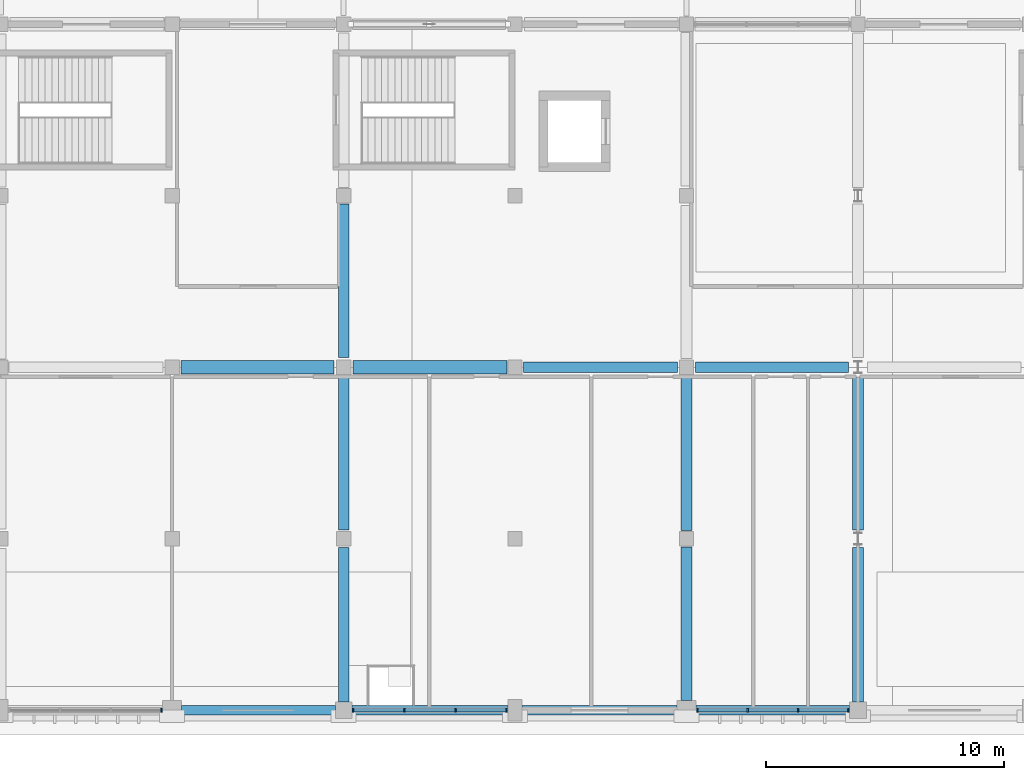
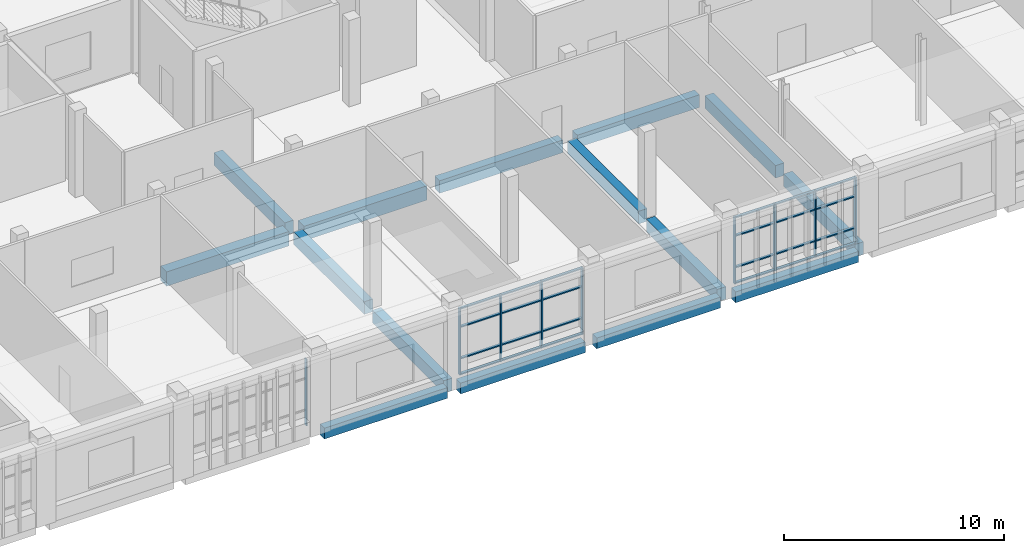
# One storey, part 27 of 82: 33 members, 15 beams, 3 elements without a shape of their own.
"""IFC4 building model written with IfcOpenShell, lengths in metres."""

from ifc_helpers import new_model, si_unit, direction, frame, origin, origin_2d, place, context, subcontext, project, spatial, rectangle, extrude, material, material_profile, profile_set, type_object, element, aggregate, save


model = new_model("IFC4")

# Units and contexts
model_context = context("Model", 3, precision=1e-05, world=origin(), true_north=direction((0.0, 1.0)))
body_context = subcontext(model_context, "Body", "Model", "MODEL_VIEW")
ifc_project = project(units=[si_unit("LENGTHUNIT", "METRE"), si_unit("AREAUNIT", "SQUARE_METRE"), si_unit("VOLUMEUNIT", "CUBIC_METRE"), si_unit("PLANEANGLEUNIT", "RADIAN"), si_unit("MASSUNIT", "GRAM", prefix="KILO")], contexts=[model_context])

# Site, building, storey
site_placement = place(None, origin())
site = spatial("IfcSite", under=ifc_project, at=site_placement, CompositionType="ELEMENT")
building_placement = place(site_placement, origin())
building = spatial("IfcBuilding", under=site, at=building_placement, Name="Sardonyx Promenade Sports Hall", CompositionType="ELEMENT")
storey_placement = place(building_placement, frame((0.0, 0.0, 11.199951171875)))
storey = spatial("IfcBuildingStorey", under=building, at=storey_placement, Name="L02", CompositionType="ELEMENT", Elevation=11.199951171875)

# Beams
ifc_material_1 = material(Name="Concrete C40/50", Category="concrete")
ifc_material_profile_1 = material_profile(ifc_material_1, rectangle(XDim=0.550048828125, YDim=0.800048828125, at=origin_2d()))
ifc_profile_set_1 = profile_set([ifc_material_profile_1], Name="Concrete C40/50")
beam_type_1 = type_object("IfcBeamType", Name="Bm_Girder_RC800", PredefinedType="BEAM", material=ifc_profile_set_1)
beam_1_placement = place(storey_placement, frame((65.175048828125, 14.39990234375, -0.39990234375), z_axis=(1.0, 0.0, 0.0), x_axis=(0.0, 1.0, 0.0)))
element("IfcBeam", 1, at=beam_1_placement, inside=storey, type_object=beam_type_1, Name="Beam BG04 L02 #479", PredefinedType="BEAM", context=body_context, shape_type="SweptSolid", body=[
    extrude(rectangle(XDim=0.550048828125, YDim=0.800048828125, at=origin_2d()), origin(), (0.0, 0.0, 1.0), 6.425048828125),
])
beam_2_placement = place(storey_placement, frame((72.39990234375, 14.39990234375, -0.39990234375), z_axis=(1.0, 0.0, 0.0), x_axis=(0.0, 1.0, 0.0)))
element("IfcBeam", 2, at=beam_2_placement, inside=storey, type_object=beam_type_1, Name="Beam BG04 L02 #480", PredefinedType="BEAM", context=body_context, shape_type="SweptSolid", body=[
    extrude(rectangle(XDim=0.550048828125, YDim=0.800048828125, at=origin_2d()), origin(), (0.0, 0.0, 1.0), 6.4501953125),
])
ifc_material_2 = material(Name="Concrete C40/50", Category="concrete")
ifc_material_profile_2 = material_profile(ifc_material_2, rectangle(XDim=0.449951171875, YDim=0.699951171875, at=origin_2d()))
ifc_profile_set_2 = profile_set([ifc_material_profile_2], Name="Concrete C40/50")
beam_type_2 = type_object("IfcBeamType", Name="Bm_Primary_RC700", PredefinedType="BEAM", material=ifc_profile_set_2)
beam_3_placement = place(storey_placement, frame((79.550048828125, 14.39990234375, -0.349853515625), z_axis=(1.0, 0.0, 0.0), x_axis=(0.0, 1.0, 0.0)))
element("IfcBeam", 3, at=beam_3_placement, inside=storey, type_object=beam_type_2, Name="Beam BG01 L02 #481", PredefinedType="BEAM", context=body_context, shape_type="SweptSolid", body=[
    extrude(rectangle(XDim=0.449951171875, YDim=0.699951171875, at=origin_2d()), origin(), (0.0, 0.0, 1.0), 6.474853515625),
])
beam_4_placement = place(storey_placement, frame((86.77490234375, 14.39990234375, -0.349853515625), z_axis=(1.0, 0.0, 0.0), x_axis=(0.0, 1.0, 0.0)))
element("IfcBeam", 4, at=beam_4_placement, inside=storey, type_object=beam_type_2, Name="Beam BG01 L02 #482", PredefinedType="BEAM", context=body_context, shape_type="SweptSolid", body=[
    extrude(rectangle(XDim=0.449951171875, YDim=0.699951171875, at=origin_2d()), origin(), (0.0, 0.0, 1.0), 6.425048828125),
])
beam_5_placement = place(storey_placement, frame((72.0, 0.35009765625, -0.349853515625), z_axis=(0.0, 1.0, 0.0), x_axis=(-1.0, 0.0, 0.0)))
element("IfcBeam", 5, at=beam_5_placement, inside=storey, type_object=beam_type_2, Name="Beam BG01 L02 #611", PredefinedType="BEAM", context=body_context, shape_type="SweptSolid", body=[
    extrude(rectangle(XDim=0.449951171875, YDim=0.699951171875, at=origin_2d()), origin(), (0.0, 0.0, 1.0), 6.474853515625),
])
beam_6_placement = place(storey_placement, frame((72.0, 7.574951171875, -0.349853515625), z_axis=(0.0, 1.0, 0.0), x_axis=(-1.0, 0.0, 0.0)))
element("IfcBeam", 6, at=beam_6_placement, inside=storey, type_object=beam_type_2, Name="Beam BG01 L02 #612", PredefinedType="BEAM", context=body_context, shape_type="SweptSolid", body=[
    extrude(rectangle(XDim=0.449951171875, YDim=0.699951171875, at=origin_2d()), origin(), (0.0, 0.0, 1.0), 6.425048828125),
])
beam_7_placement = place(storey_placement, frame((72.0, 14.800048828125, -0.349853515625), z_axis=(0.0, 1.0, 0.0), x_axis=(-1.0, 0.0, 0.0)))
element("IfcBeam", 7, at=beam_7_placement, inside=storey, type_object=beam_type_2, Name="Beam BG01 L02 #613", PredefinedType="BEAM", context=body_context, shape_type="SweptSolid", body=[
    extrude(rectangle(XDim=0.449951171875, YDim=0.699951171875, at=origin_2d()), origin(), (0.0, 0.0, 1.0), 6.449951171875),
])
beam_8_placement = place(storey_placement, frame((86.39990234375, 0.39990234375, -0.349853515625), z_axis=(0.0, 1.0, 0.0), x_axis=(-1.0, 0.0, 0.0)))
element("IfcBeam", 8, at=beam_8_placement, inside=storey, type_object=beam_type_2, Name="Beam BG01 L02 #619", PredefinedType="BEAM", context=body_context, shape_type="SweptSolid", body=[
    extrude(rectangle(XDim=0.449951171875, YDim=0.699951171875, at=origin_2d()), origin(), (0.0, 0.0, 1.0), 6.4501953125),
])
for number, where, z_axis, x_axis, name in (
    (9, (86.39990234375, 7.550048828125, -0.349853515625), (0.0, 1.0, 0.0), (-1.0, 0.0, 0.0), "Beam BG01 L02 #620"),
    (10, (93.60009765625, 0.35009765625, -0.349853515625), (0.0, 1.0, 0.0), (-1.0, 0.0, 0.0), "Beam BG01 L02 #626"),
):
    element("IfcBeam", number, at=place(storey_placement, frame(where, z_axis=z_axis, x_axis=x_axis)), inside=storey, type_object=beam_type_2, Name=name, PredefinedType="BEAM", context=body_context, shape_type="SweptSolid", body=[
        extrude(rectangle(XDim=0.449951171875, YDim=0.699951171875, at=origin_2d()), origin(), (0.0, 0.0, 1.0), 6.474853515625),
    ])
beam_9_placement = place(storey_placement, frame((93.60009765625, 7.574951171875, -0.349853515625), z_axis=(0.0, 1.0, 0.0), x_axis=(-1.0, 0.0, 0.0)))
element("IfcBeam", 11, at=beam_9_placement, inside=storey, type_object=beam_type_2, Name="Beam BG01 L02 #627", PredefinedType="BEAM", context=body_context, shape_type="SweptSolid", body=[
    extrude(rectangle(XDim=0.449951171875, YDim=0.699951171875, at=origin_2d()), origin(), (0.0, 0.0, 1.0), 6.425048828125),
])
ifc_material_3 = material(Name="Concrete C40/50", Category="concrete")
ifc_material_profile_3 = material_profile(ifc_material_3, rectangle(XDim=0.39990234375, YDim=0.60009765625, at=origin_2d()))
ifc_profile_set_3 = profile_set([ifc_material_profile_3], Name="Concrete C40/50")
beam_type_3 = type_object("IfcBeamType", Name="Bm_Spandrel_RC600", PredefinedType="SPANDREL", material=ifc_profile_set_3)
beam_10_placement = place(storey_placement, frame((65.199951171875, 0.0, -0.300048828125), z_axis=(1.0, 0.0, 0.0), x_axis=(0.0, 1.0, 0.0)))
element("IfcBeam", 12, at=beam_10_placement, inside=storey, type_object=beam_type_3, Name="Beam SPB1 L02 #456", PredefinedType="SPANDREL", context=body_context, shape_type="SweptSolid", body=[
    extrude(rectangle(XDim=0.39990234375, YDim=0.60009765625, at=origin_2d()), origin(), (0.0, 0.0, 1.0), 6.449951171875),
])
beam_11_placement = place(storey_placement, frame((72.35009765625, 0.0, -0.300048828125), z_axis=(1.0, 0.0, 0.0), x_axis=(0.0, 1.0, 0.0)))
element("IfcBeam", 13, at=beam_11_placement, inside=storey, type_object=beam_type_3, Name="Beam SPB1 L02 #457", PredefinedType="SPANDREL", context=body_context, shape_type="SweptSolid", body=[
    extrude(rectangle(XDim=0.39990234375, YDim=0.60009765625, at=origin_2d()), origin(), (0.0, 0.0, 1.0), 6.5498046875),
])
beam_12_placement = place(storey_placement, frame((79.5, 0.0, -0.300048828125), z_axis=(1.0, 0.0, 0.0), x_axis=(0.0, 1.0, 0.0)))
element("IfcBeam", 14, at=beam_12_placement, inside=storey, type_object=beam_type_3, Name="Beam SPB1 L02 #458", PredefinedType="SPANDREL", context=body_context, shape_type="SweptSolid", body=[
    extrude(rectangle(XDim=0.39990234375, YDim=0.60009765625, at=origin_2d()), origin(), (0.0, 0.0, 1.0), 6.5),
])
beam_13_placement = place(storey_placement, frame((86.800048828125, 0.0, -0.300048828125), z_axis=(1.0, 0.0, 0.0), x_axis=(0.0, 1.0, 0.0)))
element("IfcBeam", 15, at=beam_13_placement, inside=storey, type_object=beam_type_3, Name="Beam SPB1 L02 #459", PredefinedType="SPANDREL", context=body_context, shape_type="SweptSolid", body=[
    extrude(rectangle(XDim=0.39990234375, YDim=0.60009765625, at=origin_2d()), origin(), (0.0, 0.0, 1.0), 6.449951171875),
])

# Curtain wall, members
ifc_material_4 = material(Name="Aluminium 6063-T6", Category="aluminium")
curtain_wall_type = type_object("IfcCurtainWallType", Name="CW_South_L02_640", PredefinedType="USERDEFINED", material=ifc_material_4)
curtain_wall_1_placement = place(storey_placement, origin())
curtain_wall_1 = element("IfcCurtainWall", 16, at=curtain_wall_1_placement, inside=storey, type_object=curtain_wall_type, Name="Curtain wall CW01 cw:L02:034", ObjectType="CURTAIN WALL", PredefinedType="USERDEFINED")
ifc_material_5 = material(Name="Aluminium 6063-T6", Category="aluminium")
ifc_material_profile_4 = material_profile(ifc_material_5, rectangle(XDim=0.06494140625, YDim=0.175048828125, at=origin_2d()))
ifc_profile_set_4 = profile_set([ifc_material_profile_4], Name="Aluminium 6063-T6")
member_type_1 = type_object("IfcMemberType", Name="CW_Mull_175", PredefinedType="MULLION", material=ifc_profile_set_4)
member_1_placement = place(storey_placement, frame((93.197509765625, 0.0, 0.35009765625), z_axis=(0.0, 0.0, 1.0), x_axis=(-1.0, 0.0, 0.0)))
member_1 = element("IfcMember", 17, at=member_1_placement, type_object=member_type_1, Name="Mullion CM02 cw:L02:034 #1", PredefinedType="MULLION", context=body_context, shape_type="SweptSolid", body=[
    extrude(rectangle(XDim=0.06494140625, YDim=0.175048828125, at=origin_2d()), origin(), (0.0, 0.0, 1.0), 3.699951171875),
])
member_2_placement = place(storey_placement, frame((91.08251953125, 0.0, 0.35009765625), z_axis=(0.0, 0.0, 1.0), x_axis=(-1.0, 0.0, 0.0)))
member_2 = element("IfcMember", 18, at=member_2_placement, type_object=member_type_1, Name="Mullion CM02 cw:L02:034 #2", PredefinedType="MULLION", context=body_context, shape_type="SweptSolid", body=[
    extrude(rectangle(XDim=0.06494140625, YDim=0.175048828125, at=origin_2d()), origin(), (0.0, 0.0, 1.0), 3.699951171875),
])
member_3_placement = place(storey_placement, frame((88.967529296875, 0.0, 0.35009765625), z_axis=(0.0, 0.0, 1.0), x_axis=(-1.0, 0.0, 0.0)))
member_3 = element("IfcMember", 19, at=member_3_placement, type_object=member_type_1, Name="Mullion CM02 cw:L02:034 #3", PredefinedType="MULLION", context=body_context, shape_type="SweptSolid", body=[
    extrude(rectangle(XDim=0.06494140625, YDim=0.175048828125, at=origin_2d()), origin(), (0.0, 0.0, 1.0), 3.699951171875),
])
member_4_placement = place(storey_placement, frame((86.8525390625, 0.0, 0.35009765625), z_axis=(0.0, 0.0, 1.0), x_axis=(-1.0, 0.0, 0.0)))
member_4 = element("IfcMember", 20, at=member_4_placement, type_object=member_type_1, Name="Mullion CM02 cw:L02:034 #4", PredefinedType="MULLION", context=body_context, shape_type="SweptSolid", body=[
    extrude(rectangle(XDim=0.06494140625, YDim=0.175048828125, at=origin_2d()), origin(), (0.0, 0.0, 1.0), 3.699951171875),
])

curtain_wall_2_placement = place(storey_placement, origin())
curtain_wall_2 = element("IfcCurtainWall", 21, at=curtain_wall_2_placement, inside=storey, type_object=curtain_wall_type, Name="Curtain wall CW01 cw:L02:035", ObjectType="CURTAIN WALL", PredefinedType="USERDEFINED")
member_5_placement = place(storey_placement, frame((78.847412109375, 0.0, 0.35009765625), z_axis=(0.0, 0.0, 1.0), x_axis=(-1.0, 0.0, 0.0)))
member_5 = element("IfcMember", 22, at=member_5_placement, type_object=member_type_1, Name="Mullion CM02 cw:L02:035 #1", PredefinedType="MULLION", context=body_context, shape_type="SweptSolid", body=[
    extrude(rectangle(XDim=0.06494140625, YDim=0.175048828125, at=origin_2d()), origin(), (0.0, 0.0, 1.0), 3.699951171875),
])
member_6_placement = place(storey_placement, frame((76.69921875, 0.0, 0.35009765625), z_axis=(0.0, 0.0, 1.0), x_axis=(-1.0, 0.0, 0.0)))
member_6 = element("IfcMember", 23, at=member_6_placement, type_object=member_type_1, Name="Mullion CM02 cw:L02:035 #2", PredefinedType="MULLION", context=body_context, shape_type="SweptSolid", body=[
    extrude(rectangle(XDim=0.06494140625, YDim=0.175048828125, at=origin_2d()), origin(), (0.0, 0.0, 1.0), 3.699951171875),
])
member_7_placement = place(storey_placement, frame((74.55078125, 0.0, 0.35009765625), z_axis=(0.0, 0.0, 1.0), x_axis=(-1.0, 0.0, 0.0)))
member_7 = element("IfcMember", 24, at=member_7_placement, type_object=member_type_1, Name="Mullion CM02 cw:L02:035 #3", PredefinedType="MULLION", context=body_context, shape_type="SweptSolid", body=[
    extrude(rectangle(XDim=0.06494140625, YDim=0.175048828125, at=origin_2d()), origin(), (0.0, 0.0, 1.0), 3.699951171875),
])
member_8_placement = place(storey_placement, frame((72.402587890625, 0.0, 0.35009765625), z_axis=(0.0, 0.0, 1.0), x_axis=(-1.0, 0.0, 0.0)))
member_8 = element("IfcMember", 25, at=member_8_placement, type_object=member_type_1, Name="Mullion CM02 cw:L02:035 #4", PredefinedType="MULLION", context=body_context, shape_type="SweptSolid", body=[
    extrude(rectangle(XDim=0.06494140625, YDim=0.175048828125, at=origin_2d()), origin(), (0.0, 0.0, 1.0), 3.699951171875),
])

# Curtain wall, member
curtain_wall_3_placement = place(storey_placement, origin())
curtain_wall_3 = element("IfcCurtainWall", 26, at=curtain_wall_3_placement, inside=storey, type_object=curtain_wall_type, Name="Curtain wall CW01 cw:L02:036", ObjectType="CURTAIN WALL", PredefinedType="USERDEFINED")
member_9_placement = place(storey_placement, frame((64.347412109375, 0.0, 0.35009765625), z_axis=(0.0, 0.0, 1.0), x_axis=(-1.0, 0.0, 0.0)))
member_9 = element("IfcMember", 27, at=member_9_placement, type_object=member_type_1, Name="Mullion CM02 cw:L02:036 #1", PredefinedType="MULLION", context=body_context, shape_type="SweptSolid", body=[
    extrude(rectangle(XDim=0.06494140625, YDim=0.175048828125, at=origin_2d()), origin(), (0.0, 0.0, 1.0), 3.699951171875),
])
aggregate(curtain_wall_3, [member_9])

# Member
ifc_material_6 = material(Name="Aluminium 6063-T6", Category="aluminium")
ifc_material_profile_5 = material_profile(ifc_material_6, rectangle(XDim=0.06494140625, YDim=0.139892578125, at=origin_2d()))
ifc_profile_set_5 = profile_set([ifc_material_profile_5], Name="Aluminium 6063-T6")
member_type_2 = type_object("IfcMemberType", Name="CW_Tran_140", PredefinedType="USERDEFINED", material=ifc_profile_set_5)
member_10_placement = place(storey_placement, frame((93.1650390625, 0.0, 0.382568359375), z_axis=(-1.0, 0.0, 0.0), x_axis=(0.0, 0.0, 1.0)))
member_10 = element("IfcMember", 28, at=member_10_placement, type_object=member_type_2, Name="Transom CT02 cw:L02:034 #1", ObjectType="TRANSOM", PredefinedType="USERDEFINED", context=body_context, shape_type="SweptSolid", body=[
    extrude(rectangle(XDim=0.06494140625, YDim=0.139892578125, at=origin_2d()), origin(), (0.0, 0.0, 1.0), 2.050048828125),
])

member_11_placement = place(storey_placement, frame((93.1650390625, 0.0, 1.25), z_axis=(-1.0, 0.0, 0.0), x_axis=(0.0, 0.0, 1.0)))
member_11 = element("IfcMember", 29, at=member_11_placement, type_object=member_type_2, Name="Transom CT02 cw:L02:034 #2", ObjectType="TRANSOM", PredefinedType="USERDEFINED", context=body_context, shape_type="SweptSolid", body=[
    extrude(rectangle(XDim=0.06494140625, YDim=0.139892578125, at=origin_2d()), origin(), (0.0, 0.0, 1.0), 2.050048828125),
])

member_12_placement = place(storey_placement, frame((93.1650390625, 0.0, 3.0), z_axis=(-1.0, 0.0, 0.0), x_axis=(0.0, 0.0, 1.0)))
member_12 = element("IfcMember", 30, at=member_12_placement, type_object=member_type_2, Name="Transom CT02 cw:L02:034 #3", ObjectType="TRANSOM", PredefinedType="USERDEFINED", context=body_context, shape_type="SweptSolid", body=[
    extrude(rectangle(XDim=0.06494140625, YDim=0.139892578125, at=origin_2d()), origin(), (0.0, 0.0, 1.0), 2.050048828125),
])

member_13_placement = place(storey_placement, frame((93.1650390625, 0.0, 4.017578125), z_axis=(-1.0, 0.0, 0.0), x_axis=(0.0, 0.0, 1.0)))
member_13 = element("IfcMember", 31, at=member_13_placement, type_object=member_type_2, Name="Transom CT02 cw:L02:034 #4", ObjectType="TRANSOM", PredefinedType="USERDEFINED", context=body_context, shape_type="SweptSolid", body=[
    extrude(rectangle(XDim=0.06494140625, YDim=0.139892578125, at=origin_2d()), origin(), (0.0, 0.0, 1.0), 2.050048828125),
])

member_14_placement = place(storey_placement, frame((91.050048828125, 0.0, 0.382568359375), z_axis=(-1.0, 0.0, 0.0), x_axis=(0.0, 0.0, 1.0)))
member_14 = element("IfcMember", 32, at=member_14_placement, type_object=member_type_2, Name="Transom CT02 cw:L02:034 #5", ObjectType="TRANSOM", PredefinedType="USERDEFINED", context=body_context, shape_type="SweptSolid", body=[
    extrude(rectangle(XDim=0.06494140625, YDim=0.139892578125, at=origin_2d()), origin(), (0.0, 0.0, 1.0), 2.050048828125),
])

member_15_placement = place(storey_placement, frame((91.050048828125, 0.0, 1.25), z_axis=(-1.0, 0.0, 0.0), x_axis=(0.0, 0.0, 1.0)))
member_15 = element("IfcMember", 33, at=member_15_placement, type_object=member_type_2, Name="Transom CT02 cw:L02:034 #6", ObjectType="TRANSOM", PredefinedType="USERDEFINED", context=body_context, shape_type="SweptSolid", body=[
    extrude(rectangle(XDim=0.06494140625, YDim=0.139892578125, at=origin_2d()), origin(), (0.0, 0.0, 1.0), 2.050048828125),
])

member_16_placement = place(storey_placement, frame((91.050048828125, 0.0, 3.0), z_axis=(-1.0, 0.0, 0.0), x_axis=(0.0, 0.0, 1.0)))
member_16 = element("IfcMember", 34, at=member_16_placement, type_object=member_type_2, Name="Transom CT02 cw:L02:034 #7", ObjectType="TRANSOM", PredefinedType="USERDEFINED", context=body_context, shape_type="SweptSolid", body=[
    extrude(rectangle(XDim=0.06494140625, YDim=0.139892578125, at=origin_2d()), origin(), (0.0, 0.0, 1.0), 2.050048828125),
])

member_17_placement = place(storey_placement, frame((91.050048828125, 0.0, 4.017578125), z_axis=(-1.0, 0.0, 0.0), x_axis=(0.0, 0.0, 1.0)))
member_17 = element("IfcMember", 35, at=member_17_placement, type_object=member_type_2, Name="Transom CT02 cw:L02:034 #8", ObjectType="TRANSOM", PredefinedType="USERDEFINED", context=body_context, shape_type="SweptSolid", body=[
    extrude(rectangle(XDim=0.06494140625, YDim=0.139892578125, at=origin_2d()), origin(), (0.0, 0.0, 1.0), 2.050048828125),
])

member_18_placement = place(storey_placement, frame((88.93505859375, 0.0, 0.382568359375), z_axis=(-1.0, 0.0, 0.0), x_axis=(0.0, 0.0, 1.0)))
member_18 = element("IfcMember", 36, at=member_18_placement, type_object=member_type_2, Name="Transom CT02 cw:L02:034 #9", ObjectType="TRANSOM", PredefinedType="USERDEFINED", context=body_context, shape_type="SweptSolid", body=[
    extrude(rectangle(XDim=0.06494140625, YDim=0.139892578125, at=origin_2d()), origin(), (0.0, 0.0, 1.0), 2.050048828125),
])

member_19_placement = place(storey_placement, frame((88.93505859375, 0.0, 1.25), z_axis=(-1.0, 0.0, 0.0), x_axis=(0.0, 0.0, 1.0)))
member_19 = element("IfcMember", 37, at=member_19_placement, type_object=member_type_2, Name="Transom CT02 cw:L02:034 #10", ObjectType="TRANSOM", PredefinedType="USERDEFINED", context=body_context, shape_type="SweptSolid", body=[
    extrude(rectangle(XDim=0.06494140625, YDim=0.139892578125, at=origin_2d()), origin(), (0.0, 0.0, 1.0), 2.050048828125),
])

member_20_placement = place(storey_placement, frame((88.93505859375, 0.0, 3.0), z_axis=(-1.0, 0.0, 0.0), x_axis=(0.0, 0.0, 1.0)))
member_20 = element("IfcMember", 38, at=member_20_placement, type_object=member_type_2, Name="Transom CT02 cw:L02:034 #11", ObjectType="TRANSOM", PredefinedType="USERDEFINED", context=body_context, shape_type="SweptSolid", body=[
    extrude(rectangle(XDim=0.06494140625, YDim=0.139892578125, at=origin_2d()), origin(), (0.0, 0.0, 1.0), 2.050048828125),
])

member_21_placement = place(storey_placement, frame((88.93505859375, 0.0, 4.017578125), z_axis=(-1.0, 0.0, 0.0), x_axis=(0.0, 0.0, 1.0)))
member_21 = element("IfcMember", 39, at=member_21_placement, type_object=member_type_2, Name="Transom CT02 cw:L02:034 #12", ObjectType="TRANSOM", PredefinedType="USERDEFINED", context=body_context, shape_type="SweptSolid", body=[
    extrude(rectangle(XDim=0.06494140625, YDim=0.139892578125, at=origin_2d()), origin(), (0.0, 0.0, 1.0), 2.050048828125),
])

aggregate(curtain_wall_1, [member_1, member_2, member_3, member_4, member_10, member_11, member_12, member_13, member_14, member_15, member_16, member_17, member_18, member_19, member_20, member_21])

member_22_placement = place(storey_placement, frame((78.81494140625, 0.0, 0.382568359375), z_axis=(-1.0, 0.0, 0.0), x_axis=(0.0, 0.0, 1.0)))
member_22 = element("IfcMember", 40, at=member_22_placement, type_object=member_type_2, Name="Transom CT02 cw:L02:035 #1", ObjectType="TRANSOM", PredefinedType="USERDEFINED", context=body_context, shape_type="SweptSolid", body=[
    extrude(rectangle(XDim=0.06494140625, YDim=0.139892578125, at=origin_2d()), origin(), (0.0, 0.0, 1.0), 2.083251953125),
])

member_23_placement = place(storey_placement, frame((78.81494140625, 0.0, 1.25), z_axis=(-1.0, 0.0, 0.0), x_axis=(0.0, 0.0, 1.0)))
member_23 = element("IfcMember", 41, at=member_23_placement, type_object=member_type_2, Name="Transom CT02 cw:L02:035 #2", ObjectType="TRANSOM", PredefinedType="USERDEFINED", context=body_context, shape_type="SweptSolid", body=[
    extrude(rectangle(XDim=0.06494140625, YDim=0.139892578125, at=origin_2d()), origin(), (0.0, 0.0, 1.0), 2.083251953125),
])

member_24_placement = place(storey_placement, frame((78.81494140625, 0.0, 3.0), z_axis=(-1.0, 0.0, 0.0), x_axis=(0.0, 0.0, 1.0)))
member_24 = element("IfcMember", 42, at=member_24_placement, type_object=member_type_2, Name="Transom CT02 cw:L02:035 #3", ObjectType="TRANSOM", PredefinedType="USERDEFINED", context=body_context, shape_type="SweptSolid", body=[
    extrude(rectangle(XDim=0.06494140625, YDim=0.139892578125, at=origin_2d()), origin(), (0.0, 0.0, 1.0), 2.083251953125),
])

member_25_placement = place(storey_placement, frame((78.81494140625, 0.0, 4.017578125), z_axis=(-1.0, 0.0, 0.0), x_axis=(0.0, 0.0, 1.0)))
member_25 = element("IfcMember", 43, at=member_25_placement, type_object=member_type_2, Name="Transom CT02 cw:L02:035 #4", ObjectType="TRANSOM", PredefinedType="USERDEFINED", context=body_context, shape_type="SweptSolid", body=[
    extrude(rectangle(XDim=0.06494140625, YDim=0.139892578125, at=origin_2d()), origin(), (0.0, 0.0, 1.0), 2.083251953125),
])

member_26_placement = place(storey_placement, frame((76.666748046875, 0.0, 0.382568359375), z_axis=(-1.0, 0.0, 0.0), x_axis=(0.0, 0.0, 1.0)))
member_26 = element("IfcMember", 44, at=member_26_placement, type_object=member_type_2, Name="Transom CT02 cw:L02:035 #5", ObjectType="TRANSOM", PredefinedType="USERDEFINED", context=body_context, shape_type="SweptSolid", body=[
    extrude(rectangle(XDim=0.06494140625, YDim=0.139892578125, at=origin_2d()), origin(), (0.0, 0.0, 1.0), 2.08349609375),
])

member_27_placement = place(storey_placement, frame((76.666748046875, 0.0, 1.25), z_axis=(-1.0, 0.0, 0.0), x_axis=(0.0, 0.0, 1.0)))
member_27 = element("IfcMember", 45, at=member_27_placement, type_object=member_type_2, Name="Transom CT02 cw:L02:035 #6", ObjectType="TRANSOM", PredefinedType="USERDEFINED", context=body_context, shape_type="SweptSolid", body=[
    extrude(rectangle(XDim=0.06494140625, YDim=0.139892578125, at=origin_2d()), origin(), (0.0, 0.0, 1.0), 2.08349609375),
])

member_28_placement = place(storey_placement, frame((76.666748046875, 0.0, 3.0), z_axis=(-1.0, 0.0, 0.0), x_axis=(0.0, 0.0, 1.0)))
member_28 = element("IfcMember", 46, at=member_28_placement, type_object=member_type_2, Name="Transom CT02 cw:L02:035 #7", ObjectType="TRANSOM", PredefinedType="USERDEFINED", context=body_context, shape_type="SweptSolid", body=[
    extrude(rectangle(XDim=0.06494140625, YDim=0.139892578125, at=origin_2d()), origin(), (0.0, 0.0, 1.0), 2.08349609375),
])

member_29_placement = place(storey_placement, frame((76.666748046875, 0.0, 4.017578125), z_axis=(-1.0, 0.0, 0.0), x_axis=(0.0, 0.0, 1.0)))
member_29 = element("IfcMember", 47, at=member_29_placement, type_object=member_type_2, Name="Transom CT02 cw:L02:035 #8", ObjectType="TRANSOM", PredefinedType="USERDEFINED", context=body_context, shape_type="SweptSolid", body=[
    extrude(rectangle(XDim=0.06494140625, YDim=0.139892578125, at=origin_2d()), origin(), (0.0, 0.0, 1.0), 2.08349609375),
])

member_30_placement = place(storey_placement, frame((74.518310546875, 0.0, 0.382568359375), z_axis=(-1.0, 0.0, 0.0), x_axis=(0.0, 0.0, 1.0)))
member_30 = element("IfcMember", 48, at=member_30_placement, type_object=member_type_2, Name="Transom CT02 cw:L02:035 #9", ObjectType="TRANSOM", PredefinedType="USERDEFINED", context=body_context, shape_type="SweptSolid", body=[
    extrude(rectangle(XDim=0.06494140625, YDim=0.139892578125, at=origin_2d()), origin(), (0.0, 0.0, 1.0), 2.083251953125),
])

member_31_placement = place(storey_placement, frame((74.518310546875, 0.0, 1.25), z_axis=(-1.0, 0.0, 0.0), x_axis=(0.0, 0.0, 1.0)))
member_31 = element("IfcMember", 49, at=member_31_placement, type_object=member_type_2, Name="Transom CT02 cw:L02:035 #10", ObjectType="TRANSOM", PredefinedType="USERDEFINED", context=body_context, shape_type="SweptSolid", body=[
    extrude(rectangle(XDim=0.06494140625, YDim=0.139892578125, at=origin_2d()), origin(), (0.0, 0.0, 1.0), 2.083251953125),
])

member_32_placement = place(storey_placement, frame((74.518310546875, 0.0, 3.0), z_axis=(-1.0, 0.0, 0.0), x_axis=(0.0, 0.0, 1.0)))
member_32 = element("IfcMember", 50, at=member_32_placement, type_object=member_type_2, Name="Transom CT02 cw:L02:035 #11", ObjectType="TRANSOM", PredefinedType="USERDEFINED", context=body_context, shape_type="SweptSolid", body=[
    extrude(rectangle(XDim=0.06494140625, YDim=0.139892578125, at=origin_2d()), origin(), (0.0, 0.0, 1.0), 2.083251953125),
])

member_33_placement = place(storey_placement, frame((74.518310546875, 0.0, 4.017578125), z_axis=(-1.0, 0.0, 0.0), x_axis=(0.0, 0.0, 1.0)))
member_33 = element("IfcMember", 51, at=member_33_placement, type_object=member_type_2, Name="Transom CT02 cw:L02:035 #12", ObjectType="TRANSOM", PredefinedType="USERDEFINED", context=body_context, shape_type="SweptSolid", body=[
    extrude(rectangle(XDim=0.06494140625, YDim=0.139892578125, at=origin_2d()), origin(), (0.0, 0.0, 1.0), 2.083251953125),
])

aggregate(curtain_wall_2, [member_5, member_6, member_7, member_8, member_22, member_23, member_24, member_25, member_26, member_27, member_28, member_29, member_30, member_31, member_32, member_33])

save(model, "model.ifc")
